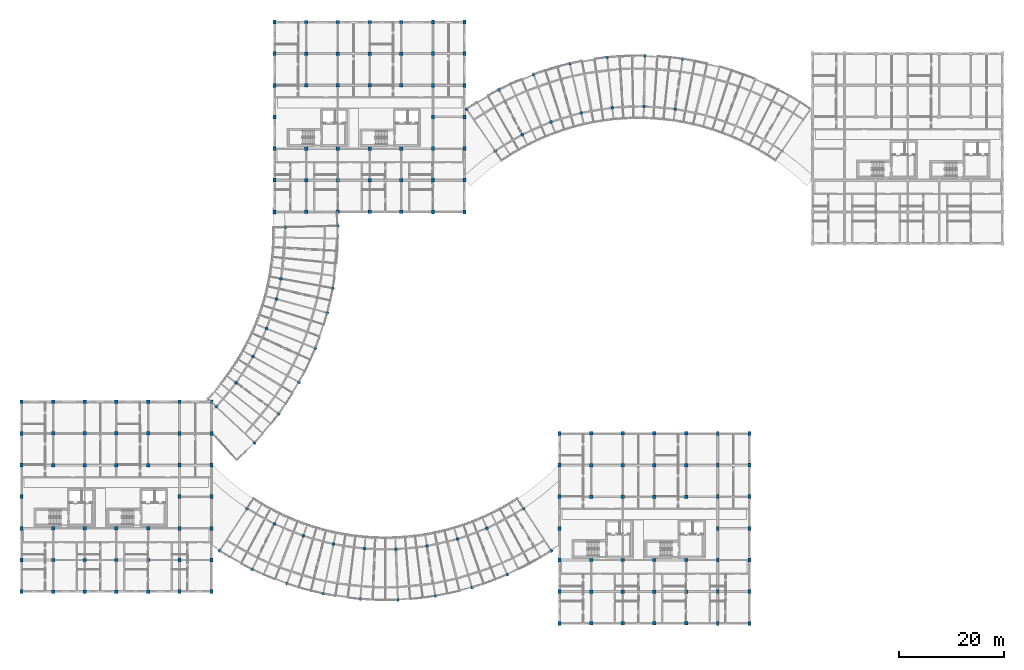
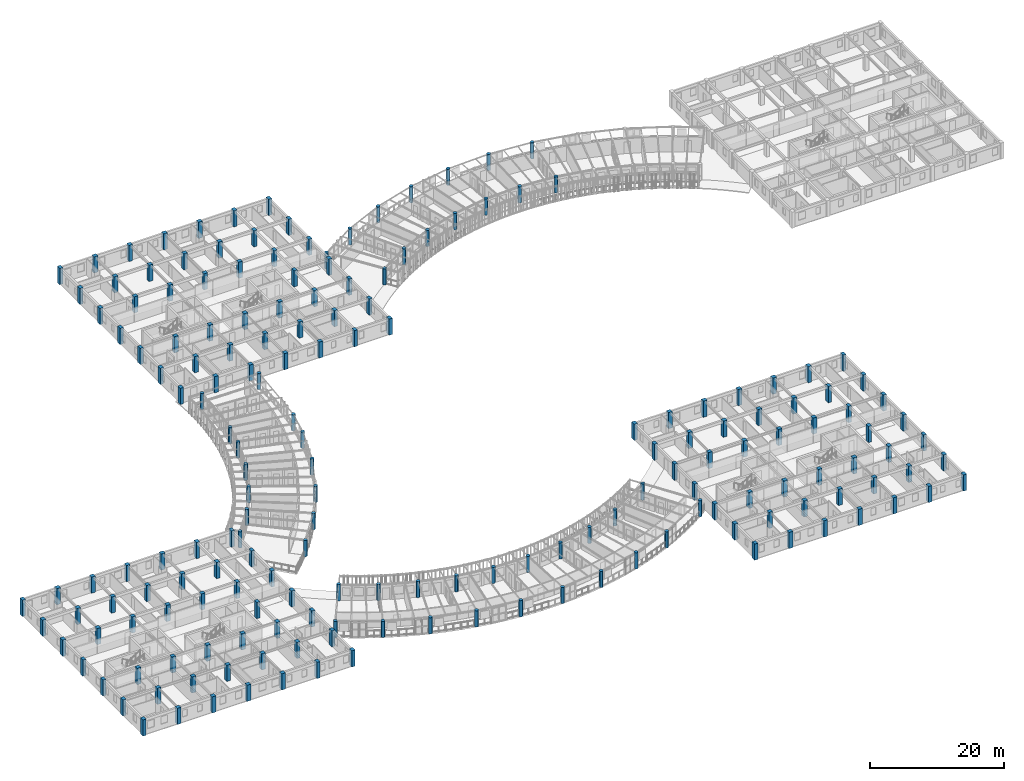
# One storey, part 1 of 100: 183 columns.
"""IFC4 building model written with IfcOpenShell, lengths in metres."""

from ifc_helpers import new_model, si_unit, direction, frame, origin, origin_2d, place, context, subcontext, project, spatial, rectangle, circle, extrude, material, material_profile, profile_set, type_object, element, save


model = new_model("IFC4")

# Units and contexts
model_context = context("Model", 3, precision=1e-05, world=origin(), true_north=direction((0.0, 1.0)))
body_context = subcontext(model_context, "Body", "Model", "MODEL_VIEW")
ifc_project = project(units=[si_unit("LENGTHUNIT", "METRE"), si_unit("AREAUNIT", "SQUARE_METRE"), si_unit("VOLUMEUNIT", "CUBIC_METRE"), si_unit("PLANEANGLEUNIT", "RADIAN"), si_unit("MASSUNIT", "GRAM", prefix="KILO"), si_unit("POWERUNIT", "WATT"), si_unit("THERMODYNAMICTEMPERATUREUNIT", "KELVIN")], contexts=[model_context])

# Site, building, storey
site_placement = place(None, origin())
site = spatial("IfcSite", under=ifc_project, at=site_placement, CompositionType="ELEMENT")
building_placement = place(site_placement, origin())
building = spatial("IfcBuilding", under=site, at=building_placement, Name="Ruvembo Vaulted Housing Court", CompositionType="ELEMENT")
storey_placement = place(building_placement, frame((0.0, 0.0, 14.10009765625)))
storey = spatial("IfcBuildingStorey", under=building, at=storey_placement, Name="L04", CompositionType="ELEMENT", Elevation=14.10009765625)

# Columns
ifc_material_1 = material(Name="Concrete C40/50", Category="concrete")
ifc_material_profile_1 = material_profile(ifc_material_1, rectangle(XDim=0.550048828125, YDim=0.75, at=origin_2d()), Name="RC 550x750")
ifc_profile_set_1 = profile_set([ifc_material_profile_1], Name="Concrete C40/50")
column_type_1 = type_object("IfcColumnType", Name="COL-RC-550x750", PredefinedType="COLUMN", material=ifc_profile_set_1)
for number, where, z_axis, x_axis, name in (
    (1, (0.0, 6.0, 0.0), (0.0, 0.0, 1.0), (1.0, 0.0, 0.0), "L04 Column (0,6)"),
    (2, (0.0, 12.0, 0.0), (0.0, 0.0, 1.0), (1.0, 0.0, 0.0), "L04 Column (0,12)"),
    (3, (0.0, 18.0, 0.0), (0.0, 0.0, 1.0), (1.0, 0.0, 0.0), "L04 Column (0,18)"),
    (4, (0.0, 24.0, 0.0), (0.0, 0.0, 1.0), (1.0, 0.0, 0.0), "L04 Column (0,24)"),
    (5, (0.0, 30.0, 0.0), (0.0, 0.0, 1.0), (1.0, 0.0, 0.0), "L04 Column (0,30)"),
    (6, (0.0, 36.0, 0.0), (0.0, 0.0, 1.0), (1.0, 0.0, 0.0), "L04 Column (0,36)"),
    (7, (0.0, 42.0, 0.0), (0.0, 0.0, 1.0), (1.0, 0.0, 0.0), "L04 Column (0,42)"),
    (8, (30.0, 6.0, 0.0), (0.0, 0.0, 1.0), (1.0, 0.0, 0.0), "L04 Column (30,6)"),
    (9, (30.0, 12.0, 0.0), (0.0, 0.0, 1.0), (1.0, 0.0, 0.0), "L04 Column (30,12)"),
    (10, (30.0, 18.0, 0.0), (0.0, 0.0, 1.0), (1.0, 0.0, 0.0), "L04 Column (30,18)"),
    (11, (30.0, 24.0, 0.0), (0.0, 0.0, 1.0), (1.0, 0.0, 0.0), "L04 Column (30,24)"),
    (12, (30.0, 30.0, 0.0), (0.0, 0.0, 1.0), (1.0, 0.0, 0.0), "L04 Column (30,30)"),
    (13, (30.0, 36.0, 0.0), (0.0, 0.0, 1.0), (1.0, 0.0, 0.0), "L04 Column (30,36)"),
    (14, (30.0, 42.0, 0.0), (0.0, 0.0, 1.0), (1.0, 0.0, 0.0), "L04 Column (30,42)"),
    (15, (36.0, 6.0, 0.0), (0.0, 0.0, 1.0), (1.0, 0.0, 0.0), "L04 Column (36,6)"),
    (16, (36.0, 12.0, 0.0), (0.0, 0.0, 1.0), (1.0, 0.0, 0.0), "L04 Column (36,12)"),
    (17, (36.0, 18.0, 0.0), (0.0, 0.0, 1.0), (1.0, 0.0, 0.0), "L04 Column (36,18)"),
    (18, (36.0, 24.0, 0.0), (0.0, 0.0, 1.0), (1.0, 0.0, 0.0), "L04 Column (36,24)"),
    (19, (36.0, 30.0, 0.0), (0.0, 0.0, 1.0), (1.0, 0.0, 0.0), "L04 Column (36,30)"),
    (20, (36.0, 36.0, 0.0), (0.0, 0.0, 1.0), (1.0, 0.0, 0.0), "L04 Column (36,36)"),
    (21, (36.0, 42.0, 0.0), (0.0, 0.0, 1.0), (1.0, 0.0, 0.0), "L04 Column (36,42)"),
    (22, (48.0, 78.0, 0.0), (0.0, 0.0, 1.0), (1.0, 0.0, 0.0), "L04 Column (48,78)"),
    (23, (48.0, 84.0, 0.0), (0.0, 0.0, 1.0), (1.0, 0.0, 0.0), "L04 Column (48,84)"),
    (24, (48.0, 90.0, 0.0), (0.0, 0.0, 1.0), (1.0, 0.0, 0.0), "L04 Column (48,90)"),
    (25, (48.0, 96.0, 0.0), (0.0, 0.0, 1.0), (1.0, 0.0, 0.0), "L04 Column (48,96)"),
    (26, (48.0, 102.0, 0.0), (0.0, 0.0, 1.0), (1.0, 0.0, 0.0), "L04 Column (48,102)"),
    (27, (48.0, 108.0, 0.0), (0.0, 0.0, 1.0), (1.0, 0.0, 0.0), "L04 Column (48,108)"),
    (28, (48.0, 114.0, 0.0), (0.0, 0.0, 1.0), (1.0, 0.0, 0.0), "L04 Column (48,114)"),
    (29, (78.0, 78.0, 0.0), (0.0, 0.0, 1.0), (1.0, 0.0, 0.0), "L04 Column (78,78)"),
    (30, (78.0, 84.0, 0.0), (0.0, 0.0, 1.0), (1.0, 0.0, 0.0), "L04 Column (78,84)"),
    (31, (78.0, 90.0, 0.0), (0.0, 0.0, 1.0), (1.0, 0.0, 0.0), "L04 Column (78,90)"),
    (32, (78.0, 96.0, 0.0), (0.0, 0.0, 1.0), (1.0, 0.0, 0.0), "L04 Column (78,96)"),
    (33, (78.0, 102.0, 0.0), (0.0, 0.0, 1.0), (1.0, 0.0, 0.0), "L04 Column (78,102)"),
    (34, (78.0, 108.0, 0.0), (0.0, 0.0, 1.0), (1.0, 0.0, 0.0), "L04 Column (78,108)"),
    (35, (78.0, 114.0, 0.0), (0.0, 0.0, 1.0), (1.0, 0.0, 0.0), "L04 Column (78,114)"),
    (36, (84.0, 78.0, 0.0), (0.0, 0.0, 1.0), (1.0, 0.0, 0.0), "L04 Column (84,78)"),
    (37, (84.0, 84.0, 0.0), (0.0, 0.0, 1.0), (1.0, 0.0, 0.0), "L04 Column (84,84)"),
    (38, (84.0, 90.0, 0.0), (0.0, 0.0, 1.0), (1.0, 0.0, 0.0), "L04 Column (84,90)"),
    (39, (84.0, 96.0, 0.0), (0.0, 0.0, 1.0), (1.0, 0.0, 0.0), "L04 Column (84,96)"),
    (40, (84.0, 102.0, 0.0), (0.0, 0.0, 1.0), (1.0, 0.0, 0.0), "L04 Column (84,102)"),
    (41, (84.0, 108.0, 0.0), (0.0, 0.0, 1.0), (1.0, 0.0, 0.0), "L04 Column (84,108)"),
    (42, (84.0, 114.0, 0.0), (0.0, 0.0, 1.0), (1.0, 0.0, 0.0), "L04 Column (84,114)"),
    (43, (102.0, 0.0, 0.0), (0.0, 0.0, 1.0), (1.0, 0.0, 0.0), "L04 Column (102,0)"),
    (44, (102.0, 6.0, 0.0), (0.0, 0.0, 1.0), (1.0, 0.0, 0.0), "L04 Column (102,6)"),
    (45, (102.0, 12.0, 0.0), (0.0, 0.0, 1.0), (1.0, 0.0, 0.0), "L04 Column (102,12)"),
    (46, (102.0, 18.0, 0.0), (0.0, 0.0, 1.0), (1.0, 0.0, 0.0), "L04 Column (102,18)"),
    (47, (102.0, 24.0, 0.0), (0.0, 0.0, 1.0), (1.0, 0.0, 0.0), "L04 Column (102,24)"),
    (48, (102.0, 30.0, 0.0), (0.0, 0.0, 1.0), (1.0, 0.0, 0.0), "L04 Column (102,30)"),
    (49, (102.0, 36.0, 0.0), (0.0, 0.0, 1.0), (1.0, 0.0, 0.0), "L04 Column (102,36)"),
    (50, (132.0, 0.0, 0.0), (0.0, 0.0, 1.0), (1.0, 0.0, 0.0), "L04 Column (132,0)"),
    (51, (132.0, 6.0, 0.0), (0.0, 0.0, 1.0), (1.0, 0.0, 0.0), "L04 Column (132,6)"),
    (52, (132.0, 12.0, 0.0), (0.0, 0.0, 1.0), (1.0, 0.0, 0.0), "L04 Column (132,12)"),
    (53, (132.0, 18.0, 0.0), (0.0, 0.0, 1.0), (1.0, 0.0, 0.0), "L04 Column (132,18)"),
    (54, (132.0, 24.0, 0.0), (0.0, 0.0, 1.0), (1.0, 0.0, 0.0), "L04 Column (132,24)"),
    (55, (132.0, 30.0, 0.0), (0.0, 0.0, 1.0), (1.0, 0.0, 0.0), "L04 Column (132,30)"),
    (56, (132.0, 36.0, 0.0), (0.0, 0.0, 1.0), (1.0, 0.0, 0.0), "L04 Column (132,36)"),
    (57, (138.0, 0.0, 0.0), (0.0, 0.0, 1.0), (1.0, 0.0, 0.0), "L04 Column (138,0)"),
    (58, (138.0, 6.0, 0.0), (0.0, 0.0, 1.0), (1.0, 0.0, 0.0), "L04 Column (138,6)"),
    (59, (138.0, 12.0, 0.0), (0.0, 0.0, 1.0), (1.0, 0.0, 0.0), "L04 Column (138,12)"),
    (60, (138.0, 18.0, 0.0), (0.0, 0.0, 1.0), (1.0, 0.0, 0.0), "L04 Column (138,18)"),
    (61, (138.0, 24.0, 0.0), (0.0, 0.0, 1.0), (1.0, 0.0, 0.0), "L04 Column (138,24)"),
    (62, (138.0, 30.0, 0.0), (0.0, 0.0, 1.0), (1.0, 0.0, 0.0), "L04 Column (138,30)"),
    (63, (138.0, 36.0, 0.0), (0.0, 0.0, 1.0), (1.0, 0.0, 0.0), "L04 Column (138,36)"),
):
    element("IfcColumn", number, at=place(storey_placement, frame(where, z_axis=z_axis, x_axis=x_axis)), inside=storey, type_object=column_type_1, Name=name, PredefinedType="COLUMN", context=body_context, shape_type="SweptSolid", body=[
        extrude(rectangle(XDim=0.550048828125, YDim=0.75, at=origin_2d()), origin(), (0.0, 0.0, 1.0), 2.949951171875),
    ])
ifc_material_profile_2 = material_profile(ifc_material_1, rectangle(XDim=0.64990234375, YDim=0.64990234375, at=origin_2d()), Name="RC 650x650")
ifc_profile_set_2 = profile_set([ifc_material_profile_2], Name="Concrete C40/50")
column_type_2 = type_object("IfcColumnType", Name="COL-RC-650", PredefinedType="COLUMN", material=ifc_profile_set_2)
for number, where, z_axis, x_axis, name in (
    (64, (6.0, 6.0, 0.0), (0.0, 0.0, 1.0), (1.0, 0.0, 0.0), "L04 Column (6,6)"),
    (65, (6.0, 12.0, 0.0), (0.0, 0.0, 1.0), (1.0, 0.0, 0.0), "L04 Column (6,12)"),
    (66, (6.0, 18.0, 0.0), (0.0, 0.0, 1.0), (1.0, 0.0, 0.0), "L04 Column (6,18)"),
    (67, (6.0, 30.0, 0.0), (0.0, 0.0, 1.0), (1.0, 0.0, 0.0), "L04 Column (6,30)"),
    (68, (6.0, 36.0, 0.0), (0.0, 0.0, 1.0), (1.0, 0.0, 0.0), "L04 Column (6,36)"),
    (69, (6.0, 42.0, 0.0), (0.0, 0.0, 1.0), (1.0, 0.0, 0.0), "L04 Column (6,42)"),
    (70, (12.0, 6.0, 0.0), (0.0, 0.0, 1.0), (1.0, 0.0, 0.0), "L04 Column (12,6)"),
    (71, (12.0, 12.0, 0.0), (0.0, 0.0, 1.0), (1.0, 0.0, 0.0), "L04 Column (12,12)"),
    (72, (12.0, 18.0, 0.0), (0.0, 0.0, 1.0), (1.0, 0.0, 0.0), "L04 Column (12,18)"),
    (73, (12.0, 30.0, 0.0), (0.0, 0.0, 1.0), (1.0, 0.0, 0.0), "L04 Column (12,30)"),
    (74, (12.0, 36.0, 0.0), (0.0, 0.0, 1.0), (1.0, 0.0, 0.0), "L04 Column (12,36)"),
    (75, (12.0, 42.0, 0.0), (0.0, 0.0, 1.0), (1.0, 0.0, 0.0), "L04 Column (12,42)"),
    (76, (18.0, 6.0, 0.0), (0.0, 0.0, 1.0), (1.0, 0.0, 0.0), "L04 Column (18,6)"),
    (77, (18.0, 12.0, 0.0), (0.0, 0.0, 1.0), (1.0, 0.0, 0.0), "L04 Column (18,12)"),
    (78, (18.0, 18.0, 0.0), (0.0, 0.0, 1.0), (1.0, 0.0, 0.0), "L04 Column (18,18)"),
    (79, (18.0, 30.0, 0.0), (0.0, 0.0, 1.0), (1.0, 0.0, 0.0), "L04 Column (18,30)"),
    (80, (18.0, 36.0, 0.0), (0.0, 0.0, 1.0), (1.0, 0.0, 0.0), "L04 Column (18,36)"),
    (81, (18.0, 42.0, 0.0), (0.0, 0.0, 1.0), (1.0, 0.0, 0.0), "L04 Column (18,42)"),
    (82, (24.0, 6.0, 0.0), (0.0, 0.0, 1.0), (1.0, 0.0, 0.0), "L04 Column (24,6)"),
    (83, (24.0, 12.0, 0.0), (0.0, 0.0, 1.0), (1.0, 0.0, 0.0), "L04 Column (24,12)"),
    (84, (24.0, 18.0, 0.0), (0.0, 0.0, 1.0), (1.0, 0.0, 0.0), "L04 Column (24,18)"),
    (85, (24.0, 30.0, 0.0), (0.0, 0.0, 1.0), (1.0, 0.0, 0.0), "L04 Column (24,30)"),
    (86, (24.0, 36.0, 0.0), (0.0, 0.0, 1.0), (1.0, 0.0, 0.0), "L04 Column (24,36)"),
    (87, (24.0, 42.0, 0.0), (0.0, 0.0, 1.0), (1.0, 0.0, 0.0), "L04 Column (24,42)"),
    (88, (54.0, 78.0, 0.0), (0.0, 0.0, 1.0), (1.0, 0.0, 0.0), "L04 Column (54,78)"),
    (89, (54.0, 84.0, 0.0), (0.0, 0.0, 1.0), (1.0, 0.0, 0.0), "L04 Column (54,84)"),
    (90, (54.0, 90.0, 0.0), (0.0, 0.0, 1.0), (1.0, 0.0, 0.0), "L04 Column (54,90)"),
    (91, (54.0, 102.0, 0.0), (0.0, 0.0, 1.0), (1.0, 0.0, 0.0), "L04 Column (54,102)"),
    (92, (54.0, 108.0, 0.0), (0.0, 0.0, 1.0), (1.0, 0.0, 0.0), "L04 Column (54,108)"),
    (93, (54.0, 114.0, 0.0), (0.0, 0.0, 1.0), (1.0, 0.0, 0.0), "L04 Column (54,114)"),
    (94, (60.0, 78.0, 0.0), (0.0, 0.0, 1.0), (1.0, 0.0, 0.0), "L04 Column (60,78)"),
    (95, (60.0, 84.0, 0.0), (0.0, 0.0, 1.0), (1.0, 0.0, 0.0), "L04 Column (60,84)"),
    (96, (60.0, 90.0, 0.0), (0.0, 0.0, 1.0), (1.0, 0.0, 0.0), "L04 Column (60,90)"),
    (97, (60.0, 102.0, 0.0), (0.0, 0.0, 1.0), (1.0, 0.0, 0.0), "L04 Column (60,102)"),
    (98, (60.0, 108.0, 0.0), (0.0, 0.0, 1.0), (1.0, 0.0, 0.0), "L04 Column (60,108)"),
    (99, (60.0, 114.0, 0.0), (0.0, 0.0, 1.0), (1.0, 0.0, 0.0), "L04 Column (60,114)"),
    (100, (66.0, 78.0, 0.0), (0.0, 0.0, 1.0), (1.0, 0.0, 0.0), "L04 Column (66,78)"),
    (101, (66.0, 84.0, 0.0), (0.0, 0.0, 1.0), (1.0, 0.0, 0.0), "L04 Column (66,84)"),
    (102, (66.0, 90.0, 0.0), (0.0, 0.0, 1.0), (1.0, 0.0, 0.0), "L04 Column (66,90)"),
    (103, (66.0, 102.0, 0.0), (0.0, 0.0, 1.0), (1.0, 0.0, 0.0), "L04 Column (66,102)"),
    (104, (66.0, 108.0, 0.0), (0.0, 0.0, 1.0), (1.0, 0.0, 0.0), "L04 Column (66,108)"),
    (105, (66.0, 114.0, 0.0), (0.0, 0.0, 1.0), (1.0, 0.0, 0.0), "L04 Column (66,114)"),
    (106, (72.0, 78.0, 0.0), (0.0, 0.0, 1.0), (1.0, 0.0, 0.0), "L04 Column (72,78)"),
    (107, (72.0, 84.0, 0.0), (0.0, 0.0, 1.0), (1.0, 0.0, 0.0), "L04 Column (72,84)"),
    (108, (72.0, 90.0, 0.0), (0.0, 0.0, 1.0), (1.0, 0.0, 0.0), "L04 Column (72,90)"),
    (109, (72.0, 102.0, 0.0), (0.0, 0.0, 1.0), (1.0, 0.0, 0.0), "L04 Column (72,102)"),
    (110, (72.0, 108.0, 0.0), (0.0, 0.0, 1.0), (1.0, 0.0, 0.0), "L04 Column (72,108)"),
    (111, (72.0, 114.0, 0.0), (0.0, 0.0, 1.0), (1.0, 0.0, 0.0), "L04 Column (72,114)"),
    (112, (108.0, 0.0, 0.0), (0.0, 0.0, 1.0), (1.0, 0.0, 0.0), "L04 Column (108,0)"),
    (113, (108.0, 6.0, 0.0), (0.0, 0.0, 1.0), (1.0, 0.0, 0.0), "L04 Column (108,6)"),
    (114, (108.0, 12.0, 0.0), (0.0, 0.0, 1.0), (1.0, 0.0, 0.0), "L04 Column (108,12)"),
    (115, (108.0, 24.0, 0.0), (0.0, 0.0, 1.0), (1.0, 0.0, 0.0), "L04 Column (108,24)"),
    (116, (108.0, 30.0, 0.0), (0.0, 0.0, 1.0), (1.0, 0.0, 0.0), "L04 Column (108,30)"),
    (117, (108.0, 36.0, 0.0), (0.0, 0.0, 1.0), (1.0, 0.0, 0.0), "L04 Column (108,36)"),
    (118, (114.0, 0.0, 0.0), (0.0, 0.0, 1.0), (1.0, 0.0, 0.0), "L04 Column (114,0)"),
    (119, (114.0, 6.0, 0.0), (0.0, 0.0, 1.0), (1.0, 0.0, 0.0), "L04 Column (114,6)"),
    (120, (114.0, 12.0, 0.0), (0.0, 0.0, 1.0), (1.0, 0.0, 0.0), "L04 Column (114,12)"),
    (121, (114.0, 24.0, 0.0), (0.0, 0.0, 1.0), (1.0, 0.0, 0.0), "L04 Column (114,24)"),
    (122, (114.0, 30.0, 0.0), (0.0, 0.0, 1.0), (1.0, 0.0, 0.0), "L04 Column (114,30)"),
    (123, (114.0, 36.0, 0.0), (0.0, 0.0, 1.0), (1.0, 0.0, 0.0), "L04 Column (114,36)"),
    (124, (120.0, 0.0, 0.0), (0.0, 0.0, 1.0), (1.0, 0.0, 0.0), "L04 Column (120,0)"),
    (125, (120.0, 6.0, 0.0), (0.0, 0.0, 1.0), (1.0, 0.0, 0.0), "L04 Column (120,6)"),
    (126, (120.0, 12.0, 0.0), (0.0, 0.0, 1.0), (1.0, 0.0, 0.0), "L04 Column (120,12)"),
    (127, (120.0, 24.0, 0.0), (0.0, 0.0, 1.0), (1.0, 0.0, 0.0), "L04 Column (120,24)"),
    (128, (120.0, 30.0, 0.0), (0.0, 0.0, 1.0), (1.0, 0.0, 0.0), "L04 Column (120,30)"),
    (129, (120.0, 36.0, 0.0), (0.0, 0.0, 1.0), (1.0, 0.0, 0.0), "L04 Column (120,36)"),
    (130, (126.0, 0.0, 0.0), (0.0, 0.0, 1.0), (1.0, 0.0, 0.0), "L04 Column (126,0)"),
    (131, (126.0, 6.0, 0.0), (0.0, 0.0, 1.0), (1.0, 0.0, 0.0), "L04 Column (126,6)"),
    (132, (126.0, 12.0, 0.0), (0.0, 0.0, 1.0), (1.0, 0.0, 0.0), "L04 Column (126,12)"),
    (133, (126.0, 24.0, 0.0), (0.0, 0.0, 1.0), (1.0, 0.0, 0.0), "L04 Column (126,24)"),
    (134, (126.0, 30.0, 0.0), (0.0, 0.0, 1.0), (1.0, 0.0, 0.0), "L04 Column (126,30)"),
    (135, (126.0, 36.0, 0.0), (0.0, 0.0, 1.0), (1.0, 0.0, 0.0), "L04 Column (126,36)"),
):
    element("IfcColumn", number, at=place(storey_placement, frame(where, z_axis=z_axis, x_axis=x_axis)), inside=storey, type_object=column_type_2, Name=name, PredefinedType="COLUMN", context=body_context, shape_type="SweptSolid", body=[
        extrude(rectangle(XDim=0.64990234375, YDim=0.64990234375, at=origin_2d()), origin(), (0.0, 0.0, 1.0), 2.949951171875),
    ])
ifc_material_2 = material(Name="Concrete C35/45", Category="concrete")
ifc_material_profile_3 = material_profile(ifc_material_2, circle(Radius=0.300048828125, at=origin_2d()), Name="RC D600")
ifc_profile_set_3 = profile_set([ifc_material_profile_3], Name="Concrete C35/45")
column_type_3 = type_object("IfcColumnType", Name="PILOTIS-D600", PredefinedType="COLUMN", material=ifc_profile_set_3)
for number, where, z_axis, x_axis, name in (
    (136, (36.9306640625, 41.078125, 0.0), (0.0, 0.0, 1.0), (1.0, 0.0, 0.0), "L04 Scooped Pier CP-SC1-F01"),
    (137, (44.207763671875, 34.21923828125, 0.0), (0.0, 0.0, 1.0), (1.0, 0.0, 0.0), "L04 Scooped Pier CP-SC1-B01"),
    (138, (40.7041015625, 45.60986328125, 0.0), (0.0, 0.0, 1.0), (1.0, 0.0, 0.0), "L04 Scooped Pier CP-SC1-F02"),
    (139, (48.767333984375, 39.6953125, 0.0), (0.0, 0.0, 1.0), (1.0, 0.0, 0.0), "L04 Scooped Pier CP-SC1-B02"),
    (140, (43.89306640625, 50.570068359375, 0.0), (0.0, 0.0, 1.0), (1.0, 0.0, 0.0), "L04 Scooped Pier CP-SC1-F03"),
    (141, (52.620849609375, 45.688720703125, 0.0), (0.0, 0.0, 1.0), (1.0, 0.0, 0.0), "L04 Scooped Pier CP-SC1-B03"),
    (142, (46.449951171875, 55.8837890625, 0.0), (0.0, 0.0, 1.0), (1.0, 0.0, 0.0), "L04 Scooped Pier CP-SC1-F04"),
    (143, (55.71044921875, 52.109619140625, 0.0), (0.0, 0.0, 1.0), (1.0, 0.0, 0.0), "L04 Scooped Pier CP-SC1-B04"),
    (144, (48.3359375, 61.47119140625, 0.0), (0.0, 0.0, 1.0), (1.0, 0.0, 0.0), "L04 Scooped Pier CP-SC1-F05"),
    (145, (57.989501953125, 58.861083984375, 0.0), (0.0, 0.0, 1.0), (1.0, 0.0, 0.0), "L04 Scooped Pier CP-SC1-B05"),
    (146, (49.206298828125, 65.306396484375, 0.0), (0.0, 0.0, 1.0), (1.0, 0.0, 0.0), "L04 Scooped Pier CP-SC1-F06"),
    (147, (59.040771484375, 63.495361328125, 0.0), (0.0, 0.0, 1.0), (1.0, 0.0, 0.0), "L04 Scooped Pier CP-SC1-B06"),
    (148, (49.987548828125, 75.092529296875, 0.0), (0.0, 0.0, 1.0), (1.0, 0.0, 0.0), "L04 Scooped Pier CP-SC1-F07"),
    (149, (59.985107421875, 75.3203125, 0.0), (0.0, 0.0, 1.0), (1.0, 0.0, 0.0), "L04 Scooped Pier CP-SC1-B07"),
    (150, (42.79345703125, 21.785400390625, 0.0), (0.0, 0.0, 1.0), (1.0, 0.0, 0.0), "L04 Scooped Pier CP-SC2-F01"),
    (151, (37.55224609375, 13.742431640625, 0.0), (0.0, 0.0, 1.0), (1.0, 0.0, 0.0), "L04 Scooped Pier CP-SC2-B01"),
    (152, (47.958251953125, 18.85791015625, 0.0), (0.0, 0.0, 1.0), (1.0, 0.0, 0.0), "L04 Scooped Pier CP-SC2-F02"),
    (153, (43.749755859375, 10.2294921875, 0.0), (0.0, 0.0, 1.0), (1.0, 0.0, 0.0), "L04 Scooped Pier CP-SC2-B02"),
    (154, (53.44482421875, 16.59033203125, 0.0), (0.0, 0.0, 1.0), (1.0, 0.0, 0.0), "L04 Scooped Pier CP-SC2-F03"),
    (155, (50.333740234375, 7.50830078125, 0.0), (0.0, 0.0, 1.0), (1.0, 0.0, 0.0), "L04 Scooped Pier CP-SC2-B03"),
    (156, (59.169189453125, 15.017578125, 0.0), (0.0, 0.0, 1.0), (1.0, 0.0, 0.0), "L04 Scooped Pier CP-SC2-F04"),
    (157, (57.203125, 5.62109375, 0.0), (0.0, 0.0, 1.0), (1.0, 0.0, 0.0), "L04 Scooped Pier CP-SC2-B04"),
    (158, (65.044189453125, 14.163330078125, 0.0), (0.0, 0.0, 1.0), (1.0, 0.0, 0.0), "L04 Scooped Pier CP-SC2-F05"),
    (159, (64.2529296875, 4.595947265625, 0.0), (0.0, 0.0, 1.0), (1.0, 0.0, 0.0), "L04 Scooped Pier CP-SC2-B05"),
    (160, (70.9794921875, 14.040771484375, 0.0), (0.0, 0.0, 1.0), (1.0, 0.0, 0.0), "L04 Scooped Pier CP-SC2-F06"),
    (161, (71.37548828125, 4.448974609375, 0.0), (0.0, 0.0, 1.0), (1.0, 0.0, 0.0), "L04 Scooped Pier CP-SC2-B06"),
    (162, (76.884765625, 14.652099609375, 0.0), (0.0, 0.0, 1.0), (1.0, 0.0, 0.0), "L04 Scooped Pier CP-SC2-F07"),
    (163, (78.461669921875, 5.182373046875, 0.0), (0.0, 0.0, 1.0), (1.0, 0.0, 0.0), "L04 Scooped Pier CP-SC2-B07"),
    (164, (82.669189453125, 15.987548828125, 0.0), (0.0, 0.0, 1.0), (1.0, 0.0, 0.0), "L04 Scooped Pier CP-SC2-F08"),
    (165, (85.403076171875, 6.784912109375, 0.0), (0.0, 0.0, 1.0), (1.0, 0.0, 0.0), "L04 Scooped Pier CP-SC2-B08"),
    (166, (88.24462890625, 18.02685546875, 0.0), (0.0, 0.0, 1.0), (1.0, 0.0, 0.0), "L04 Scooped Pier CP-SC2-F09"),
    (167, (92.093505859375, 9.232177734375, 0.0), (0.0, 0.0, 1.0), (1.0, 0.0, 0.0), "L04 Scooped Pier CP-SC2-B09"),
    (168, (95.20654296875, 21.785400390625, 0.0), (0.0, 0.0, 1.0), (1.0, 0.0, 0.0), "L04 Scooped Pier CP-SC2-F10"),
    (169, (100.44775390625, 13.742431640625, 0.0), (0.0, 0.0, 1.0), (1.0, 0.0, 0.0), "L04 Scooped Pier CP-SC2-B10"),
    (170, (89.82177734375, 89.564453125, 0.0), (0.0, 0.0, 1.0), (1.0, 0.0, 0.0), "L04 Scooped Pier CP-SC3-F01"),
    (171, (84.38623046875, 97.477294921875, 0.0), (0.0, 0.0, 1.0), (1.0, 0.0, 0.0), "L04 Scooped Pier CP-SC3-B01"),
    (172, (94.946533203125, 92.6337890625, 0.0), (0.0, 0.0, 1.0), (1.0, 0.0, 0.0), "L04 Scooped Pier CP-SC3-F02"),
    (173, (90.535888671875, 101.16064453125, 0.0), (0.0, 0.0, 1.0), (1.0, 0.0, 0.0), "L04 Scooped Pier CP-SC3-B02"),
    (174, (100.412841796875, 95.04296875, 0.0), (0.0, 0.0, 1.0), (1.0, 0.0, 0.0), "L04 Scooped Pier CP-SC3-F03"),
    (175, (97.095458984375, 104.051513671875, 0.0), (0.0, 0.0, 1.0), (1.0, 0.0, 0.0), "L04 Scooped Pier CP-SC3-B03"),
    (176, (106.13623046875, 96.75439453125, 0.0), (0.0, 0.0, 1.0), (1.0, 0.0, 0.0), "L04 Scooped Pier CP-SC3-F04"),
    (177, (103.96337890625, 106.105224609375, 0.0), (0.0, 0.0, 1.0), (1.0, 0.0, 0.0), "L04 Scooped Pier CP-SC3-B04"),
    (178, (112.027587890625, 97.74169921875, 0.0), (0.0, 0.0, 1.0), (1.0, 0.0, 0.0), "L04 Scooped Pier CP-SC3-F05"),
    (179, (111.033203125, 107.2900390625, 0.0), (0.0, 0.0, 1.0), (1.0, 0.0, 0.0), "L04 Scooped Pier CP-SC3-B05"),
    (180, (117.99609375, 97.98974609375, 0.0), (0.0, 0.0, 1.0), (1.0, 0.0, 0.0), "L04 Scooped Pier CP-SC3-F06"),
    (181, (118.1953125, 107.587646484375, 0.0), (0.0, 0.0, 1.0), (1.0, 0.0, 0.0), "L04 Scooped Pier CP-SC3-B06"),
    (182, (123.94921875, 97.494384765625, 0.0), (0.0, 0.0, 1.0), (1.0, 0.0, 0.0), "L04 Scooped Pier CP-SC3-F07"),
    (183, (125.339111328125, 106.9931640625, 0.0), (0.0, 0.0, 1.0), (1.0, 0.0, 0.0), "L04 Scooped Pier CP-SC3-B07"),
):
    element("IfcColumn", number, at=place(storey_placement, frame(where, z_axis=z_axis, x_axis=x_axis)), inside=storey, type_object=column_type_3, Name=name, PredefinedType="COLUMN", context=body_context, shape_type="SweptSolid", body=[
        extrude(circle(Radius=0.300048828125, at=origin_2d()), origin(), (0.0, 0.0, 1.0), 2.947998046875),
    ])

save(model, "model.ifc")
